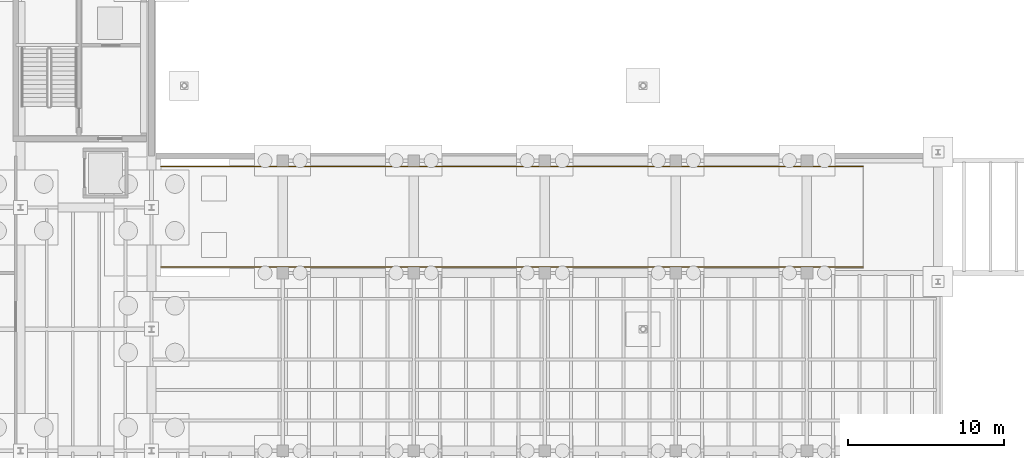
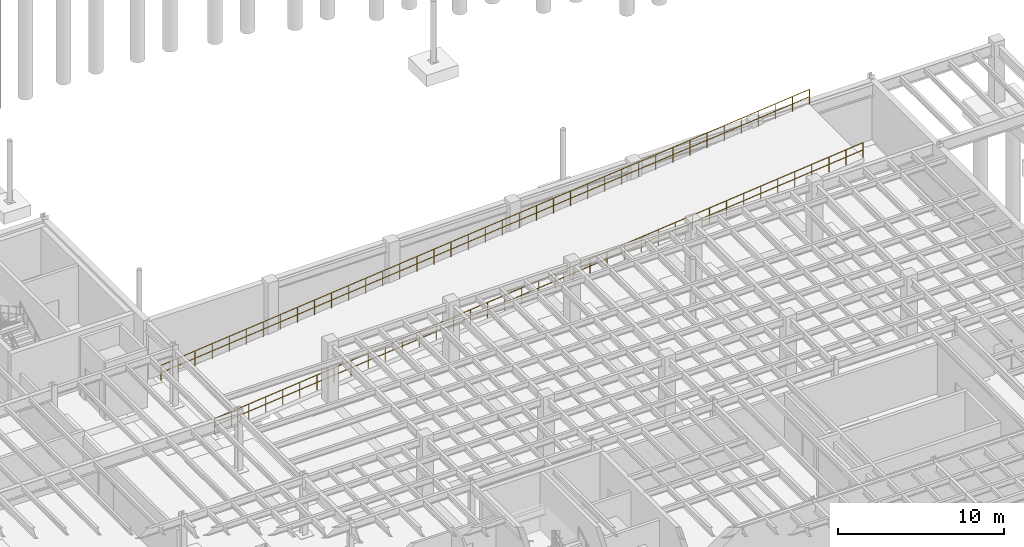
# One storey, part 40 of 41: 2 railings.
"""IFC4 building model written with IfcOpenShell, lengths in metres."""

import ifcopenshell
import ifcopenshell.guid

model = None  # the IFC model being written
_history = None  # IfcOwnerHistory: only IFC2X3 demands one
_inside = {}  # id of a spatial element -> (the spatial element, [elements in it])
_under = {}  # id of a project, library or spatial element -> (it, [spatial elements below it])
_declared = {}  # id of a project -> (the project, [libraries it declares])
_typed = {}  # id of a type object -> (the type object, [elements of that type])
_made_of = {}  # id of a material, layer set ... -> (it, [elements and type objects made of it])


def new_model(schema):
    """Start an empty IFC model of exactly this schema.

    Asked for "IFC4X3", IfcOpenShell would pick the latest addendum, in which some entities
    have other attributes; the version numbers below select the first issue.
    IFC2X3 requires an IfcOwnerHistory on every rooted entity: one is made here for all.
    """
    global model, _history
    if schema == "IFC4X3":
        model = ifcopenshell.file(schema_version=(4, 3, 0, 0))
    else:
        model = ifcopenshell.file(schema=schema)
    _inside.clear()
    _under.clear()
    _declared.clear()
    _typed.clear()
    _made_of.clear()
    _history = None
    if model.schema == "IFC2X3":
        org = make("IfcOrganization", Name="unknown")
        user = make(
            "IfcPersonAndOrganization",
            ThePerson=make("IfcPerson", FamilyName="unknown"),
            TheOrganization=org,
        )
        app = make(
            "IfcApplication",
            ApplicationDeveloper=org,
            Version="unknown",
            ApplicationFullName="unknown",
            ApplicationIdentifier="unknown",
        )
        _history = make(
            "IfcOwnerHistory",
            OwningUser=user,
            OwningApplication=app,
            ChangeAction="ADDED",
            CreationDate=0,
        )
    return model


def make(cls, **values):
    """One entity of the class cls with the attributes given. An attribute that is None is left unset."""
    return model.create_entity(
        cls, **{name: value for name, value in values.items() if value is not None}
    )


def rooted(cls, **values):
    """An entity with a GlobalId (a new one), such as an element, a storey or a relation."""
    return make(cls, GlobalId=ifcopenshell.guid.new(), OwnerHistory=_history, **values)


def si_unit(unit_type, name, prefix=None):
    """IfcSIUnit, for example si_unit("LENGTHUNIT", "METRE", prefix="MILLI")."""
    return make("IfcSIUnit", UnitType=unit_type, Prefix=prefix, Name=name)


def assignment(units):
    """IfcUnitAssignment: the units of a project."""
    return None if units is None else make("IfcUnitAssignment", Units=units)


def point(xyz):
    """IfcCartesianPoint."""
    return None if xyz is None else make("IfcCartesianPoint", Coordinates=xyz)


def direction(xyz):
    """IfcDirection."""
    return None if xyz is None else make("IfcDirection", DirectionRatios=xyz)


def frame(location, z_axis=None, x_axis=None):
    """IfcAxis2Placement3D, a coordinate frame: its origin and axes. An axis left out is left unset."""
    return make(
        "IfcAxis2Placement3D",
        Location=point(location),
        Axis=direction(z_axis),
        RefDirection=direction(x_axis),
    )


def frame_2d(location, x_axis=None):
    """IfcAxis2Placement2D, a coordinate frame in the plane: its origin and x axis."""
    return make(
        "IfcAxis2Placement2D", Location=point(location), RefDirection=direction(x_axis)
    )


def origin():
    """The frame at (0, 0, 0) with its axes left unset."""
    return frame((0.0, 0.0, 0.0))


def origin_2d():
    """The frame at (0, 0) in the plane with its x axis left unset."""
    return frame_2d((0.0, 0.0))


def place(relative_to, where):
    """IfcLocalPlacement: puts the frame where relative to a parent placement (None: the world)."""
    return make(
        "IfcLocalPlacement", PlacementRelTo=relative_to, RelativePlacement=where
    )


def context(
    kind, dimensions, precision=None, world=None, true_north=None, identifier=None
):
    """IfcGeometricRepresentationContext, for example the 3D "Model" context."""
    return make(
        "IfcGeometricRepresentationContext",
        ContextIdentifier=identifier,
        ContextType=kind,
        CoordinateSpaceDimension=dimensions,
        Precision=precision,
        WorldCoordinateSystem=world,
        TrueNorth=true_north,
    )


def subcontext(parent, identifier, kind, view, scale=None):
    """IfcGeometricRepresentationSubContext, for example "Body" below "Model"."""
    return make(
        "IfcGeometricRepresentationSubContext",
        ContextIdentifier=identifier,
        ContextType=kind,
        ParentContext=parent,
        TargetScale=scale,
        TargetView=view,
    )


def project(units=None, contexts=None):
    """IfcProject with its units and contexts."""
    return rooted(
        "IfcProject",
        Name="project",
        RepresentationContexts=contexts,
        UnitsInContext=assignment(units),
    )


def spatial(cls, under=None, at=None, **own):
    """A site, building, storey or space (cls), placed at a placement, below another one or the project."""
    s = rooted(cls, ObjectPlacement=at, **own)
    if under is not None:
        _under.setdefault(under.id(), (under, []))[1].append(s)
    return s


def profile(cls, at=None, kind="AREA", **sizes):
    """A parametric profile (cls). Its sizes go by their IFC names, for example OverallWidth=200.0."""
    return make(cls, ProfileType=kind, Position=at, **sizes)


def circle(**sizes):
    """IfcCircleProfileDef."""
    return profile("IfcCircleProfileDef", **sizes)


def extrude(swept, where, along, depth):
    """IfcExtrudedAreaSolid: the profile swept, set in the frame where, extruded along a direction by depth."""
    return make(
        "IfcExtrudedAreaSolid",
        SweptArea=swept,
        Position=where,
        ExtrudedDirection=direction(along),
        Depth=depth,
    )


def shape(context_of_items, identifier, shape_type, items):
    """IfcShapeRepresentation: the items that make up one representation, for example the "Body"."""
    return make(
        "IfcShapeRepresentation",
        ContextOfItems=context_of_items,
        RepresentationIdentifier=identifier,
        RepresentationType=shape_type,
        Items=items,
    )


def material(Name=None, Category=None):
    """IfcMaterial."""
    return make("IfcMaterial", Name=Name, Category=Category)


def layer(
    of_material, thickness, ventilated=None, Name=None, Category=None, Priority=None
):
    """IfcMaterialLayer: one layer of a wall or slab, of a material (None: an air gap)."""
    return make(
        "IfcMaterialLayer",
        Material=of_material,
        LayerThickness=thickness,
        IsVentilated=ventilated,
        Name=Name,
        Category=Category,
        Priority=Priority,
    )


def layer_set(layers, Name=None):
    """IfcMaterialLayerSet."""
    return make("IfcMaterialLayerSet", MaterialLayers=layers, LayerSetName=Name)


def made_of(thing, what):
    """Note that an element or type object is made of a material, layer set ...; save() writes the relation."""
    if what is not None:
        _made_of.setdefault(what.id(), (what, []))[1].append(thing)
    return thing


def type_object(cls, material=None, **own):
    """A type object (cls), such as IfcWallType, which elements share."""
    return made_of(rooted(cls, **own), material)


def element(
    cls,
    number,
    at=None,
    inside=None,
    cuts=None,
    type_object=None,
    material=None,
    context=None,
    identifier="Body",
    shape_type=None,
    held_by="IfcProductDefinitionShape",
    body=None,
    shapes=None,
    **own,
):
    """One element of the class cls, such as IfcWall. Its Tag is "e" and its number.

    at: its placement. inside: the storey or other place that contains it. cuts: it is an
    opening in that element (IfcRelVoidsElement). A single representation is given by context,
    identifier, shape_type and body (its items); several are given by shapes. held_by: the class
    of the entity that holds the representations. save() writes the other relations.
    """
    e = rooted(cls, Tag="e%d" % number, ObjectPlacement=at, **own)
    if body is not None:
        shapes = [shape(context, identifier, shape_type, body)]
    if shapes is not None:
        e.Representation = make(held_by, Representations=shapes)
    if inside is not None:
        _inside.setdefault(inside.id(), (inside, []))[1].append(e)
    if cuts is not None:
        rooted(
            "IfcRelVoidsElement", RelatingBuildingElement=cuts, RelatedOpeningElement=e
        )
    if type_object is not None:
        _typed.setdefault(type_object.id(), (type_object, []))[1].append(e)
    return made_of(e, material)


def aggregate(whole, parts):
    """IfcRelAggregates: a whole, such as a stair, and the parts it consists of."""
    return rooted("IfcRelAggregates", RelatingObject=whole, RelatedObjects=parts)


def save(model, path):
    """Write the relations noted so far, then the file.

    IfcRelAggregates (storeys below a building ...), IfcRelContainedInSpatialStructure (elements
    in a storey), IfcRelDefinesByType, IfcRelAssociatesMaterial and IfcRelDeclares: one each for
    every whole, place, type object, material and project.
    """
    for whole, parts in _under.values():
        aggregate(whole, parts)
    for where, things in _inside.values():
        rooted(
            "IfcRelContainedInSpatialStructure",
            RelatedElements=things,
            RelatingStructure=where,
        )
    for kind, things in _typed.values():
        rooted("IfcRelDefinesByType", RelatedObjects=things, RelatingType=kind)
    for what, things in _made_of.values():
        rooted("IfcRelAssociatesMaterial", RelatedObjects=things, RelatingMaterial=what)
    for by, libraries in _declared.values():
        rooted("IfcRelDeclares", RelatingContext=by, RelatedDefinitions=libraries)
    model.write(path)


model = new_model("IFC4")

# Units and contexts
model_context = context("Model", 3, precision=1e-05, world=origin(), true_north=direction((0.0, 1.0)))
body_context = subcontext(model_context, "Body", "Model", "MODEL_VIEW")
ifc_project = project(units=[si_unit("LENGTHUNIT", "METRE"), si_unit("AREAUNIT", "SQUARE_METRE"), si_unit("VOLUMEUNIT", "CUBIC_METRE"), si_unit("PLANEANGLEUNIT", "RADIAN"), si_unit("MASSUNIT", "GRAM", prefix="KILO")], contexts=[model_context])

# Site, building, storey
site_placement = place(None, origin())
site = spatial("IfcSite", under=ifc_project, at=site_placement, CompositionType="ELEMENT")
building_placement = place(site_placement, origin())
building = spatial("IfcBuilding", under=site, at=building_placement, Name="Selat Folded Stagehouse", CompositionType="ELEMENT")
storey_placement = place(building_placement, frame((0.0, 0.0, -4.5)))
storey = spatial("IfcBuildingStorey", under=building, at=storey_placement, Name="B1", CompositionType="ELEMENT", Elevation=-4.5)

# Railings
ifc_material = material(Name="Bronze-anodised steel balustrade", Category="steel")
ifc_layer = layer(ifc_material, 0.06494140625)
ifc_layer_set = layer_set([ifc_layer], Name="Bronze-anodised steel balustrade")
railing_type = type_object("IfcRailingType", Name="RLG-BAL-1120", PredefinedType="BALUSTRADE", material=ifc_layer_set)
railing_1_placement = place(storey_placement, frame((67.800048828125, 35.179931640625, 0.0)))
element("IfcRailing", 1, at=railing_1_placement, inside=storey, type_object=railing_type, Name="B1 vehicle ramp VRM-01 sloped protective guard S", PredefinedType="BALUSTRADE", context=body_context, shape_type="SweptSolid", body=[
    extrude(circle(Radius=0.02392578125, at=origin_2d()), frame((0.0, 0.0, 1.09619140625), z_axis=(0.99503719021, 0.0, 0.099503719021), x_axis=(0.0, 1.0, 0.0)), (0.0, 0.0, 1.0), 45.224365234375),
    extrude(circle(Radius=0.02392578125, at=origin_2d()), frame((0.0, 0.0, 0.56005859375), z_axis=(0.99503719021, 0.0, 0.099503719021), x_axis=(0.0, 1.0, 0.0)), (0.0, 0.0, 1.0), 45.224365234375),
    extrude(circle(Radius=0.02099609375, at=origin_2d()), origin(), (0.0, 0.0, 1.0), 1.072021484375),
    extrude(circle(Radius=0.02099609375, at=origin_2d()), frame((1.184326171875, 0.0, 0.118408203125)), (0.0, 0.0, 1.0), 1.072021484375),
    extrude(circle(Radius=0.02099609375, at=origin_2d()), frame((2.368408203125, 0.0, 0.23681640625)), (0.0, 0.0, 1.0), 1.072021484375),
    extrude(circle(Radius=0.02099609375, at=origin_2d()), frame((3.552734375, 0.0, 0.355224609375)), (0.0, 0.0, 1.0), 1.072021484375),
    extrude(circle(Radius=0.02099609375, at=origin_2d()), frame((4.73681640625, 0.0, 0.4736328125)), (0.0, 0.0, 1.0), 1.072021484375),
    extrude(circle(Radius=0.02099609375, at=origin_2d()), frame((5.921142578125, 0.0, 0.592041015625)), (0.0, 0.0, 1.0), 1.072021484375),
    extrude(circle(Radius=0.02099609375, at=origin_2d()), frame((7.105224609375, 0.0, 0.71044921875)), (0.0, 0.0, 1.0), 1.072021484375),
    extrude(circle(Radius=0.02099609375, at=origin_2d()), frame((8.28955078125, 0.0, 0.828857421875)), (0.0, 0.0, 1.0), 1.072021484375),
    extrude(circle(Radius=0.02099609375, at=origin_2d()), frame((9.4736328125, 0.0, 0.947265625)), (0.0, 0.0, 1.0), 1.072021484375),
    extrude(circle(Radius=0.02099609375, at=origin_2d()), frame((10.657958984375, 0.0, 1.065673828125)), (0.0, 0.0, 1.0), 1.072021484375),
    extrude(circle(Radius=0.02099609375, at=origin_2d()), frame((11.842041015625, 0.0, 1.184326171875)), (0.0, 0.0, 1.0), 1.072021484375),
    extrude(circle(Radius=0.02099609375, at=origin_2d()), frame((13.0263671875, 0.0, 1.302734375)), (0.0, 0.0, 1.0), 1.072021484375),
    extrude(circle(Radius=0.02099609375, at=origin_2d()), frame((14.21044921875, 0.0, 1.421142578125)), (0.0, 0.0, 1.0), 1.072021484375),
    extrude(circle(Radius=0.02099609375, at=origin_2d()), frame((15.394775390625, 0.0, 1.53955078125)), (0.0, 0.0, 1.0), 1.072021484375),
    extrude(circle(Radius=0.02099609375, at=origin_2d()), frame((16.578857421875, 0.0, 1.657958984375)), (0.0, 0.0, 1.0), 1.072021484375),
    extrude(circle(Radius=0.02099609375, at=origin_2d()), frame((17.76318359375, 0.0, 1.7763671875)), (0.0, 0.0, 1.0), 1.072021484375),
    extrude(circle(Radius=0.02099609375, at=origin_2d()), frame((18.947265625, 0.0, 1.894775390625)), (0.0, 0.0, 1.0), 1.072021484375),
    extrude(circle(Radius=0.02099609375, at=origin_2d()), frame((20.131591796875, 0.0, 2.01318359375)), (0.0, 0.0, 1.0), 1.072021484375),
    extrude(circle(Radius=0.02099609375, at=origin_2d()), frame((21.315673828125, 0.0, 2.131591796875)), (0.0, 0.0, 1.0), 1.072021484375),
    extrude(circle(Radius=0.02099609375, at=origin_2d()), frame((22.5, 0.0, 2.25)), (0.0, 0.0, 1.0), 1.072021484375),
    extrude(circle(Radius=0.02099609375, at=origin_2d()), frame((23.684326171875, 0.0, 2.368408203125)), (0.0, 0.0, 1.0), 1.072021484375),
    extrude(circle(Radius=0.02099609375, at=origin_2d()), frame((24.868408203125, 0.0, 2.48681640625)), (0.0, 0.0, 1.0), 1.072021484375),
    extrude(circle(Radius=0.02099609375, at=origin_2d()), frame((26.052734375, 0.0, 2.605224609375)), (0.0, 0.0, 1.0), 1.072021484375),
    extrude(circle(Radius=0.02099609375, at=origin_2d()), frame((27.23681640625, 0.0, 2.7236328125)), (0.0, 0.0, 1.0), 1.072021484375),
    extrude(circle(Radius=0.02099609375, at=origin_2d()), frame((28.421142578125, 0.0, 2.842041015625)), (0.0, 0.0, 1.0), 1.072021484375),
    extrude(circle(Radius=0.02099609375, at=origin_2d()), frame((29.605224609375, 0.0, 2.96044921875)), (0.0, 0.0, 1.0), 1.072021484375),
    extrude(circle(Radius=0.02099609375, at=origin_2d()), frame((30.78955078125, 0.0, 3.078857421875)), (0.0, 0.0, 1.0), 1.072021484375),
    extrude(circle(Radius=0.02099609375, at=origin_2d()), frame((31.9736328125, 0.0, 3.197265625)), (0.0, 0.0, 1.0), 1.072021484375),
    extrude(circle(Radius=0.02099609375, at=origin_2d()), frame((33.157958984375, 0.0, 3.315673828125)), (0.0, 0.0, 1.0), 1.072021484375),
    extrude(circle(Radius=0.02099609375, at=origin_2d()), frame((34.342041015625, 0.0, 3.434326171875)), (0.0, 0.0, 1.0), 1.072021484375),
    extrude(circle(Radius=0.02099609375, at=origin_2d()), frame((35.5263671875, 0.0, 3.552734375)), (0.0, 0.0, 1.0), 1.072021484375),
    extrude(circle(Radius=0.02099609375, at=origin_2d()), frame((36.71044921875, 0.0, 3.671142578125)), (0.0, 0.0, 1.0), 1.072021484375),
    extrude(circle(Radius=0.02099609375, at=origin_2d()), frame((37.894775390625, 0.0, 3.78955078125)), (0.0, 0.0, 1.0), 1.072021484375),
    extrude(circle(Radius=0.02099609375, at=origin_2d()), frame((39.078857421875, 0.0, 3.907958984375)), (0.0, 0.0, 1.0), 1.072021484375),
    extrude(circle(Radius=0.02099609375, at=origin_2d()), frame((40.26318359375, 0.0, 4.0263671875)), (0.0, 0.0, 1.0), 1.072021484375),
    extrude(circle(Radius=0.02099609375, at=origin_2d()), frame((41.447265625, 0.0, 4.144775390625)), (0.0, 0.0, 1.0), 1.072021484375),
    extrude(circle(Radius=0.02099609375, at=origin_2d()), frame((42.631591796875, 0.0, 4.26318359375)), (0.0, 0.0, 1.0), 1.072021484375),
    extrude(circle(Radius=0.02099609375, at=origin_2d()), frame((43.815673828125, 0.0, 4.381591796875)), (0.0, 0.0, 1.0), 1.072021484375),
    extrude(circle(Radius=0.02099609375, at=origin_2d()), frame((45.0, 0.0, 4.5)), (0.0, 0.0, 1.0), 1.072021484375),
])
railing_2_placement = place(storey_placement, frame((67.800048828125, 41.6201171875, 0.0)))
element("IfcRailing", 2, at=railing_2_placement, inside=storey, type_object=railing_type, Name="B1 vehicle ramp VRM-01 sloped protective guard N", PredefinedType="BALUSTRADE", context=body_context, shape_type="SweptSolid", body=[
    extrude(circle(Radius=0.02392578125, at=origin_2d()), frame((0.0, 0.0, 1.09619140625), z_axis=(0.99503719021, 0.0, 0.099503719021), x_axis=(0.0, 1.0, 0.0)), (0.0, 0.0, 1.0), 45.224365234375),
    extrude(circle(Radius=0.02392578125, at=origin_2d()), frame((0.0, 0.0, 0.56005859375), z_axis=(0.99503719021, 0.0, 0.099503719021), x_axis=(0.0, 1.0, 0.0)), (0.0, 0.0, 1.0), 45.224365234375),
    extrude(circle(Radius=0.02099609375, at=origin_2d()), origin(), (0.0, 0.0, 1.0), 1.072021484375),
    extrude(circle(Radius=0.02099609375, at=origin_2d()), frame((1.184326171875, 0.0, 0.118408203125)), (0.0, 0.0, 1.0), 1.072021484375),
    extrude(circle(Radius=0.02099609375, at=origin_2d()), frame((2.368408203125, 0.0, 0.23681640625)), (0.0, 0.0, 1.0), 1.072021484375),
    extrude(circle(Radius=0.02099609375, at=origin_2d()), frame((3.552734375, 0.0, 0.355224609375)), (0.0, 0.0, 1.0), 1.072021484375),
    extrude(circle(Radius=0.02099609375, at=origin_2d()), frame((4.73681640625, 0.0, 0.4736328125)), (0.0, 0.0, 1.0), 1.072021484375),
    extrude(circle(Radius=0.02099609375, at=origin_2d()), frame((5.921142578125, 0.0, 0.592041015625)), (0.0, 0.0, 1.0), 1.072021484375),
    extrude(circle(Radius=0.02099609375, at=origin_2d()), frame((7.105224609375, 0.0, 0.71044921875)), (0.0, 0.0, 1.0), 1.072021484375),
    extrude(circle(Radius=0.02099609375, at=origin_2d()), frame((8.28955078125, 0.0, 0.828857421875)), (0.0, 0.0, 1.0), 1.072021484375),
    extrude(circle(Radius=0.02099609375, at=origin_2d()), frame((9.4736328125, 0.0, 0.947265625)), (0.0, 0.0, 1.0), 1.072021484375),
    extrude(circle(Radius=0.02099609375, at=origin_2d()), frame((10.657958984375, 0.0, 1.065673828125)), (0.0, 0.0, 1.0), 1.072021484375),
    extrude(circle(Radius=0.02099609375, at=origin_2d()), frame((11.842041015625, 0.0, 1.184326171875)), (0.0, 0.0, 1.0), 1.072021484375),
    extrude(circle(Radius=0.02099609375, at=origin_2d()), frame((13.0263671875, 0.0, 1.302734375)), (0.0, 0.0, 1.0), 1.072021484375),
    extrude(circle(Radius=0.02099609375, at=origin_2d()), frame((14.21044921875, 0.0, 1.421142578125)), (0.0, 0.0, 1.0), 1.072021484375),
    extrude(circle(Radius=0.02099609375, at=origin_2d()), frame((15.394775390625, 0.0, 1.53955078125)), (0.0, 0.0, 1.0), 1.072021484375),
    extrude(circle(Radius=0.02099609375, at=origin_2d()), frame((16.578857421875, 0.0, 1.657958984375)), (0.0, 0.0, 1.0), 1.072021484375),
    extrude(circle(Radius=0.02099609375, at=origin_2d()), frame((17.76318359375, 0.0, 1.7763671875)), (0.0, 0.0, 1.0), 1.072021484375),
    extrude(circle(Radius=0.02099609375, at=origin_2d()), frame((18.947265625, 0.0, 1.894775390625)), (0.0, 0.0, 1.0), 1.072021484375),
    extrude(circle(Radius=0.02099609375, at=origin_2d()), frame((20.131591796875, 0.0, 2.01318359375)), (0.0, 0.0, 1.0), 1.072021484375),
    extrude(circle(Radius=0.02099609375, at=origin_2d()), frame((21.315673828125, 0.0, 2.131591796875)), (0.0, 0.0, 1.0), 1.072021484375),
    extrude(circle(Radius=0.02099609375, at=origin_2d()), frame((22.5, 0.0, 2.25)), (0.0, 0.0, 1.0), 1.072021484375),
    extrude(circle(Radius=0.02099609375, at=origin_2d()), frame((23.684326171875, 0.0, 2.368408203125)), (0.0, 0.0, 1.0), 1.072021484375),
    extrude(circle(Radius=0.02099609375, at=origin_2d()), frame((24.868408203125, 0.0, 2.48681640625)), (0.0, 0.0, 1.0), 1.072021484375),
    extrude(circle(Radius=0.02099609375, at=origin_2d()), frame((26.052734375, 0.0, 2.605224609375)), (0.0, 0.0, 1.0), 1.072021484375),
    extrude(circle(Radius=0.02099609375, at=origin_2d()), frame((27.23681640625, 0.0, 2.7236328125)), (0.0, 0.0, 1.0), 1.072021484375),
    extrude(circle(Radius=0.02099609375, at=origin_2d()), frame((28.421142578125, 0.0, 2.842041015625)), (0.0, 0.0, 1.0), 1.072021484375),
    extrude(circle(Radius=0.02099609375, at=origin_2d()), frame((29.605224609375, 0.0, 2.96044921875)), (0.0, 0.0, 1.0), 1.072021484375),
    extrude(circle(Radius=0.02099609375, at=origin_2d()), frame((30.78955078125, 0.0, 3.078857421875)), (0.0, 0.0, 1.0), 1.072021484375),
    extrude(circle(Radius=0.02099609375, at=origin_2d()), frame((31.9736328125, 0.0, 3.197265625)), (0.0, 0.0, 1.0), 1.072021484375),
    extrude(circle(Radius=0.02099609375, at=origin_2d()), frame((33.157958984375, 0.0, 3.315673828125)), (0.0, 0.0, 1.0), 1.072021484375),
    extrude(circle(Radius=0.02099609375, at=origin_2d()), frame((34.342041015625, 0.0, 3.434326171875)), (0.0, 0.0, 1.0), 1.072021484375),
    extrude(circle(Radius=0.02099609375, at=origin_2d()), frame((35.5263671875, 0.0, 3.552734375)), (0.0, 0.0, 1.0), 1.072021484375),
    extrude(circle(Radius=0.02099609375, at=origin_2d()), frame((36.71044921875, 0.0, 3.671142578125)), (0.0, 0.0, 1.0), 1.072021484375),
    extrude(circle(Radius=0.02099609375, at=origin_2d()), frame((37.894775390625, 0.0, 3.78955078125)), (0.0, 0.0, 1.0), 1.072021484375),
    extrude(circle(Radius=0.02099609375, at=origin_2d()), frame((39.078857421875, 0.0, 3.907958984375)), (0.0, 0.0, 1.0), 1.072021484375),
    extrude(circle(Radius=0.02099609375, at=origin_2d()), frame((40.26318359375, 0.0, 4.0263671875)), (0.0, 0.0, 1.0), 1.072021484375),
    extrude(circle(Radius=0.02099609375, at=origin_2d()), frame((41.447265625, 0.0, 4.144775390625)), (0.0, 0.0, 1.0), 1.072021484375),
    extrude(circle(Radius=0.02099609375, at=origin_2d()), frame((42.631591796875, 0.0, 4.26318359375)), (0.0, 0.0, 1.0), 1.072021484375),
    extrude(circle(Radius=0.02099609375, at=origin_2d()), frame((43.815673828125, 0.0, 4.381591796875)), (0.0, 0.0, 1.0), 1.072021484375),
    extrude(circle(Radius=0.02099609375, at=origin_2d()), frame((45.0, 0.0, 4.5)), (0.0, 0.0, 1.0), 1.072021484375),
])

save(model, "model.ifc")
